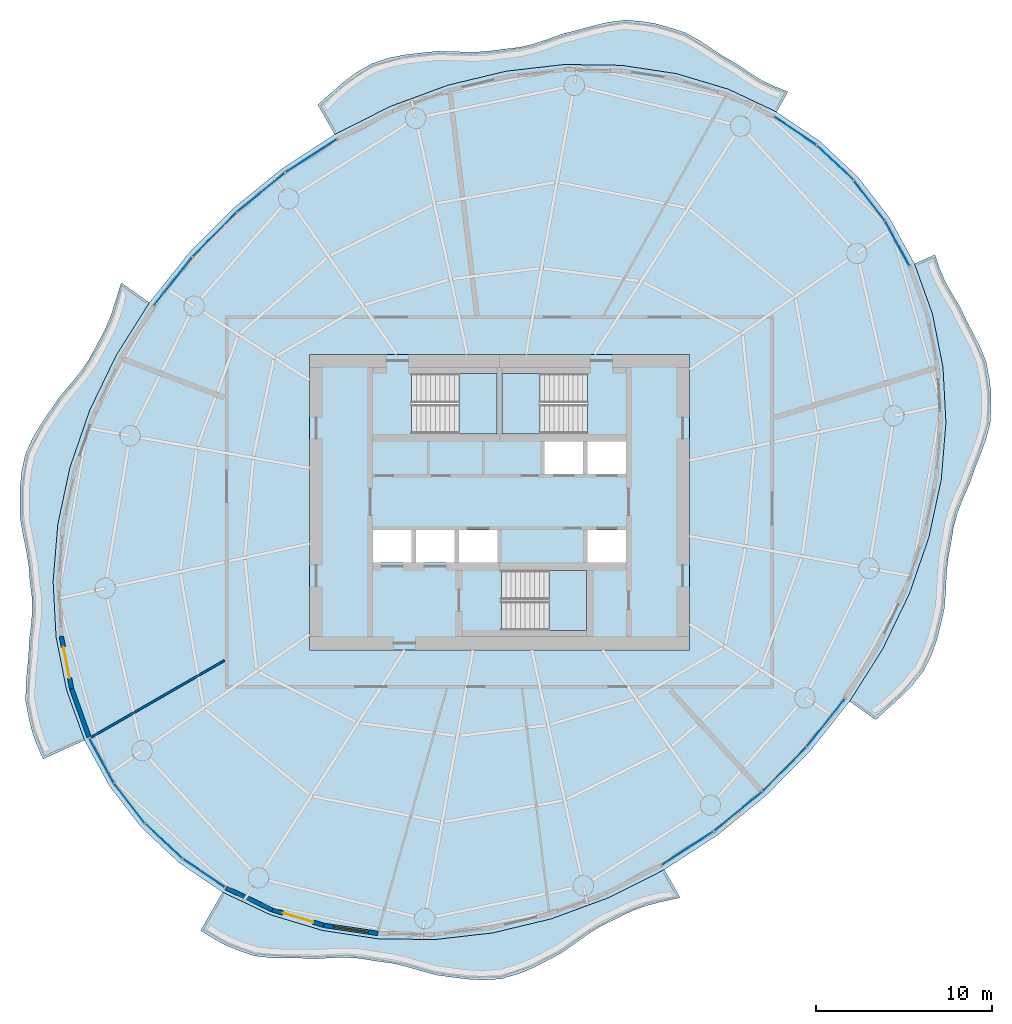
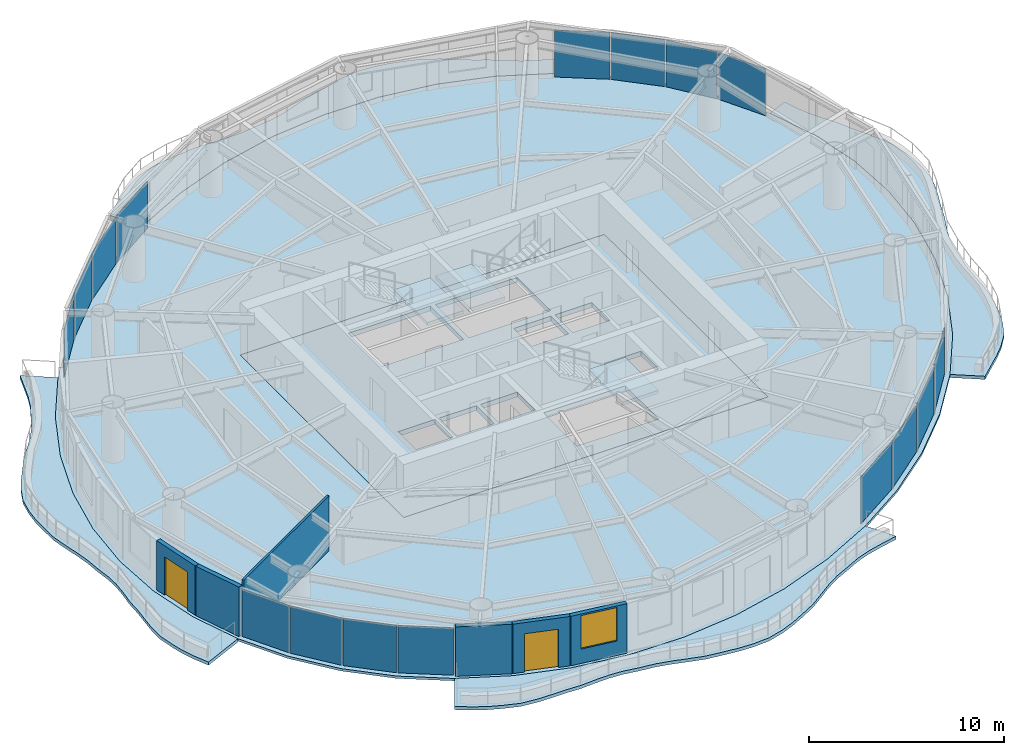
# One storey, part 7 of 14: 16 plates, 9 slabs, 6 walls, 2 doors, 1 window, 3 openings, 19 elements without a shape of their own.
"""IFC4 building model written with IfcOpenShell, lengths in metres."""

from ifc_helpers import new_model, si_unit, direction, frame, frame_2d, origin, origin_2d, place, context, subcontext, project, spatial, polyline, rectangle, outline, extrude, material, layer, layer_set, type_object, element, fill, aggregate, save


model = new_model("IFC4")

# Units and contexts
model_context = context("Model", 3, precision=1e-05, world=origin(), true_north=direction((0.0, 1.0)))
body_context = subcontext(model_context, "Body", "Model", "MODEL_VIEW")
ifc_project = project(units=[si_unit("LENGTHUNIT", "METRE"), si_unit("AREAUNIT", "SQUARE_METRE"), si_unit("VOLUMEUNIT", "CUBIC_METRE"), si_unit("PLANEANGLEUNIT", "RADIAN"), si_unit("MASSUNIT", "GRAM", prefix="KILO")], contexts=[model_context])

# Site, building, storey
site_placement = place(None, origin())
site = spatial("IfcSite", under=ifc_project, at=site_placement, CompositionType="ELEMENT")
building_placement = place(site_placement, origin())
building = spatial("IfcBuilding", under=site, at=building_placement, Name="Vermilion Reach Broadcast Tower", CompositionType="ELEMENT")
storey_placement = place(building_placement, frame((0.0, 0.0, 202.89990234375)))
storey = spatial("IfcBuildingStorey", under=building, at=storey_placement, Name="L49", CompositionType="ELEMENT", Elevation=202.89990234375)

# Slabs
ifc_material_1 = material(Name="Concrete C40/50", Category="concrete")
ifc_layer_1 = layer(ifc_material_1, 0.199951171875)
ifc_layer_set_1 = layer_set([ifc_layer_1], Name="Balcony slab 200")
slab_type_1 = type_object("IfcSlabType", Name="Balcony slab 200", PredefinedType="FLOOR", material=ifc_layer_set_1)
placement_1 = place(storey_placement, frame((0.0, 0.0, -0.199951171875)))
element("IfcSlab", 1, at=placement_1, inside=storey, type_object=slab_type_1, Name="Balcony slab L49 group 1", PredefinedType="FLOOR", context=body_context, shape_type="SweptSolid", body=[
    extrude(outline(polyline([(9.747314453125, 22.17822265625), (7.014404296875, 23.467529296875), (4.058837890625, 24.35546875), (0.93115234375, 24.82666015625), (-2.31494140625, 24.872802734375), (-5.624267578125, 24.49365234375), (-8.93994140625, 23.6953125), (-12.20556640625, 22.491455078125), (-15.36474609375, 20.90283203125), (-16.330078125, 22.5859375), (-15.56396484375, 23.266845703125), (-14.876220703125, 23.8671875), (-14.156982421875, 24.404541015625), (-13.261962890625, 24.925537109375), (-12.29248046875, 25.24267578125), (-11.430419921875, 25.419921875), (-10.542236328125, 25.526123046875), (-9.52734375, 25.63037109375), (-8.523193359375, 25.60693359375), (-7.64013671875, 25.580810546875), (-6.770263671875, 25.61083984375), (-5.844482421875, 25.738037109375), (-4.940673828125, 25.841796875), (-4.12353515625, 26.026123046875), (-3.3154296875, 26.2880859375), (-2.402099609375, 26.618408203125), (-1.47509765625, 26.85009765625), (-0.66015625, 27.078369140625), (0.154541015625, 27.272216796875), (1.142822265625, 27.4033203125), (2.107421875, 27.3251953125), (2.886962890625, 27.192138671875), (3.654541015625, 26.9794921875), (4.578857421875, 26.673828125), (5.419677734375, 26.20361328125), (6.091796875, 25.759033203125), (6.764404296875, 25.31689453125), (7.55224609375, 24.86962890625), (8.273193359375, 24.365234375), (8.920654296875, 23.967041015625), (9.599609375, 23.6357421875), (10.403076171875, 23.328369140625), (9.747314453125, 22.17822265625)])), origin(), (0.0, 0.0, 1.0), 0.199951171875),
])
element("IfcSlab", 2, at=placement_1, inside=storey, type_object=slab_type_1, Name="Balcony slab L49 group 2", PredefinedType="FLOOR", context=body_context, shape_type="SweptSolid", body=[
    extrude(outline(polyline([(-25.9052734375, 11.33203125), (-27.790283203125, 8.34033203125), (-29.302734375, 5.205810546875), (-30.416259765625, 1.982177734375), (-31.112060546875, -1.275390625), (-31.378173828125, -4.510986328125), (-31.210205078125, -7.66943359375), (-30.610595703125, -10.69677734375), (-29.590087890625, -13.541015625), (-31.947998046875, -14.598876953125), (-32.333984375, -13.72265625), (-32.58203125, -13.00927734375), (-32.760498046875, -12.2705078125), (-32.938232421875, -11.3408203125), (-32.926513671875, -10.36865234375), (-32.851318359375, -9.5673828125), (-32.77294921875, -8.765380859375), (-32.73828125, -7.8603515625), (-32.619873046875, -6.95263671875), (-32.563720703125, -6.15771484375), (-32.587646484375, -5.3671875), (-32.6982421875, -4.491943359375), (-32.76708984375, -3.582275390625), (-32.90380859375, -2.7568359375), (-33.07568359375, -1.92822265625), (-33.2421875, -0.96142578125), (-33.260009765625, 0.034912109375), (-33.25244140625, 0.885009765625), (-33.1689453125, 1.71875), (-32.964111328125, 2.69140625), (-32.547607421875, 3.62060546875), (-32.1064453125, 4.3701171875), (-31.60986328125, 5.1005859375), (-31.0517578125, 5.927001953125), (-30.39697265625, 6.69970703125), (-29.830322265625, 7.392333984375), (-29.331298828125, 8.11767578125), (-28.8857421875, 8.947021484375), (-28.42822265625, 9.787109375), (-28.087890625, 10.617431640625), (-27.8076171875, 11.48583984375), (-27.502197265625, 12.465087890625), (-25.9052734375, 11.33203125)])), origin(), (0.0, 0.0, 1.0), 0.199951171875),
])
element("IfcSlab", 3, at=placement_1, inside=storey, type_object=slab_type_1, Name="Balcony slab L49 group 3", PredefinedType="FLOOR", context=body_context, shape_type="SweptSolid", body=[
    extrude(outline(polyline([(-21.747314453125, -22.17822265625), (-19.014404296875, -23.467529296875), (-16.058837890625, -24.35546875), (-12.93115234375, -24.82666015625), (-9.68505859375, -24.872802734375), (-6.375732421875, -24.49365234375), (-3.06005859375, -23.6953125), (0.20556640625, -22.491455078125), (3.36474609375, -20.90283203125), (4.27392578125, -22.48779296875), (3.2822265625, -22.706787109375), (2.405029296875, -22.929931640625), (1.5654296875, -23.22802734375), (0.707275390625, -23.6474609375), (-0.14501953125, -24.05615234375), (-0.901123046875, -24.520751953125), (-1.635986328125, -25.04296875), (-2.47216796875, -25.631591796875), (-3.35791015625, -26.100341796875), (-4.138916015625, -26.4990234375), (-4.9365234375, -26.828125), (-5.9130859375, -27.10791015625), (-6.906982421875, -27.17138671875), (-7.749755859375, -27.132080078125), (-8.60009765625, -27.026123046875), (-9.583984375, -26.894287109375), (-10.52197265625, -26.635009765625), (-11.330322265625, -26.3994140625), (-12.139404296875, -26.213623046875), (-13.03564453125, -26.09765625), (-13.89990234375, -25.94775390625), (-14.691162109375, -25.891845703125), (-15.493408203125, -25.909912109375), (-16.420654296875, -25.968505859375), (-17.337158203125, -25.9287109375), (-18.143310546875, -25.930908203125), (-18.9443359375, -25.916259765625), (-19.912109375, -25.807373046875), (-20.8115234375, -25.505859375), (-21.51171875, -25.219482421875), (-22.1796875, -24.865234375), (-22.992919921875, -24.363037109375), (-21.747314453125, -22.17822265625)])), origin(), (0.0, 0.0, 1.0), 0.199951171875),
])
element("IfcSlab", 4, at=placement_1, inside=storey, type_object=slab_type_1, Name="Balcony slab L49 group 4", PredefinedType="FLOOR", context=body_context, shape_type="SweptSolid", body=[
    extrude(outline(polyline([(13.9052734375, -11.33203125), (15.790283203125, -8.34033203125), (17.302734375, -5.205810546875), (18.416259765625, -1.982177734375), (19.112060546875, 1.275390625), (19.378173828125, 4.510986328125), (19.210205078125, 7.66943359375), (18.610595703125, 10.69677734375), (17.590087890625, 13.541015625), (18.756103515625, 14.064208984375), (19.0234375, 13.25244140625), (19.328125, 12.559326171875), (19.6982421875, 11.889404296875), (20.161865234375, 11.1259765625), (20.55126953125, 10.29443359375), (20.93115234375, 9.583251953125), (21.299072265625, 8.86962890625), (21.664306640625, 7.97607421875), (21.8447265625, 7.017822265625), (21.939453125, 6.23095703125), (21.9521484375, 5.439697265625), (21.89501953125, 4.474609375), (21.63525390625, 3.510986328125), (21.34228515625, 2.720703125), (21.030029296875, 1.931884765625), (20.720947265625, 1.038330078125), (20.3310546875, 0.163330078125), (20.030029296875, -0.623779296875), (19.8125, -1.428955078125), (19.668212890625, -2.330810546875), (19.49267578125, -3.256103515625), (19.41015625, -4.129638671875), (19.367431640625, -5.016845703125), (19.29150390625, -6.025634765625), (19.0703125, -7.024658203125), (18.84814453125, -7.883544921875), (18.54833984375, -8.704833984375), (18.095458984375, -9.6171875), (17.450927734375, -10.431396484375), (16.814697265625, -11.07568359375), (16.132080078125, -11.690185546875), (15.380859375, -12.379150390625), (13.9052734375, -11.33203125)])), origin(), (0.0, 0.0, 1.0), 0.199951171875),
])
ifc_material_2 = material(Name="Concrete C40", Category="concrete")
ifc_layer_2 = layer(ifc_material_2, 0.300048828125)
ifc_layer_set_2 = layer_set([ifc_layer_2], Name="Core floor slab 300 mm Concrete C40")
slab_type_2 = type_object("IfcSlabType", Name="Core floor slab 300 mm Concrete C40", PredefinedType="FLOOR", material=ifc_layer_set_2)
slab_5_placement = place(storey_placement, frame((0.0, 0.0, -0.2998046875)))
element("IfcSlab", 5, at=slab_5_placement, inside=storey, type_object=slab_type_2, Name="L49 core floor", PredefinedType="FLOOR", context=body_context, shape_type="SweptSolid", body=[
    extrude(outline(polyline([(-16.800048828125, -8.39990234375), (4.800048828125, -8.39990234375), (4.800048828125, 8.39990234375), (-16.800048828125, 8.39990234375), (-16.800048828125, -8.39990234375)]), holes=[polyline([(-3.433349609375, 1.60009765625), (-1.24169921875, 1.60009765625), (-1.24169921875, 3.429931640625), (-3.433349609375, 3.429931640625), (-3.433349609375, 1.60009765625)]), polyline([(-0.99169921875, 1.60009765625), (1.199951171875, 1.60009765625), (1.199951171875, 3.429931640625), (-0.99169921875, 3.429931640625), (-0.99169921875, 1.60009765625)]), polyline([(-13.199951171875, -3.429931640625), (-11.00830078125, -3.429931640625), (-11.00830078125, -1.60009765625), (-13.199951171875, -1.60009765625), (-13.199951171875, -3.429931640625)]), polyline([(-10.75830078125, -3.429931640625), (-8.566650390625, -3.429931640625), (-8.566650390625, -1.60009765625), (-10.75830078125, -1.60009765625), (-10.75830078125, -3.429931640625)]), polyline([(-8.316650390625, -3.429931640625), (-6.125, -3.429931640625), (-6.125, -1.60009765625), (-8.316650390625, -1.60009765625), (-8.316650390625, -3.429931640625)]), polyline([(-0.99169921875, -3.429931640625), (1.199951171875, -3.429931640625), (1.199951171875, -1.60009765625), (-0.99169921875, -1.60009765625), (-0.99169921875, -3.429931640625)]), polyline([(-10.999267578125, 3.8798828125), (-6.14990234375, 3.8798828125), (-6.14990234375, 7.300048828125), (-10.999267578125, 7.300048828125), (-10.999267578125, 3.8798828125)]), polyline([(-1.000732421875, 7.300048828125), (-5.85009765625, 7.300048828125), (-5.85009765625, 3.8798828125), (-1.000732421875, 3.8798828125), (-1.000732421875, 7.300048828125)]), polyline([(-5.8994140625, -7.300048828125), (-1.050048828125, -7.300048828125), (-1.050048828125, -3.8798828125), (-5.8994140625, -3.8798828125), (-5.8994140625, -7.300048828125)])]), origin(), (0.0, 0.0, 1.0), 0.2998046875),
])

# Stair, slab
ifc_material_3 = material(Name="Concrete C40", Category="concrete")
stair_type = type_object("IfcStairType", Name="Exit stair RC 22 risers 164 mm", PredefinedType="HALF_TURN_STAIR", material=ifc_material_3)
placement_2 = place(storey_placement, origin())
stair_1 = element("IfcStair", 6, at=placement_2, inside=storey, type_object=stair_type, Name="L49 Exit stair ST1", PredefinedType="HALF_TURN_STAIR")
ifc_material_4 = material(Name="Concrete C40", Category="concrete")
ifc_layer_3 = layer(ifc_material_4, 0.199951171875)
ifc_layer_set_3 = layer_set([ifc_layer_3], Name="Exit stair landing Concrete C40")
slab_type_3 = type_object("IfcSlabType", Name="Exit stair landing Concrete C40", PredefinedType="LANDING", material=ifc_layer_set_3)
placement_3 = place(storey_placement, frame((0.0, 0.0, 1.60009765625)))
slab_6 = element("IfcSlab", 7, at=placement_3, type_object=slab_type_3, Name="ST1 landing 1", PredefinedType="LANDING", context=body_context, shape_type="SweptSolid", body=[
    extrude(outline(polyline([(-8.300048828125, 3.8798828125), (-6.14990234375, 3.8798828125), (-6.14990234375, 7.300048828125), (-8.300048828125, 7.300048828125), (-8.300048828125, 3.8798828125)])), origin(), (0.0, 0.0, 1.0), 0.199951171875),
])
aggregate(stair_1, [slab_6])

stair_2 = element("IfcStair", 8, at=placement_2, inside=storey, type_object=stair_type, Name="L49 Exit stair ST2", PredefinedType="HALF_TURN_STAIR")
slab_7 = element("IfcSlab", 9, at=placement_3, type_object=slab_type_3, Name="ST2 landing 1", PredefinedType="LANDING", context=body_context, shape_type="SweptSolid", body=[
    extrude(outline(polyline([(-3.699951171875, 7.300048828125), (-5.85009765625, 7.300048828125), (-5.85009765625, 3.8798828125), (-3.699951171875, 3.8798828125), (-3.699951171875, 7.300048828125)])), origin(), (0.0, 0.0, 1.0), 0.199951171875),
])
aggregate(stair_2, [slab_7])

stair_3 = element("IfcStair", 10, at=placement_2, inside=storey, type_object=stair_type, Name="L49 Exit stair ST3", PredefinedType="HALF_TURN_STAIR")
slab_8 = element("IfcSlab", 11, at=placement_3, type_object=slab_type_3, Name="ST3 landing 1", PredefinedType="LANDING", context=body_context, shape_type="SweptSolid", body=[
    extrude(outline(polyline([(-3.199951171875, -7.300048828125), (-1.050048828125, -7.300048828125), (-1.050048828125, -3.8798828125), (-3.199951171875, -3.8798828125), (-3.199951171875, -7.300048828125)])), origin(), (0.0, 0.0, 1.0), 0.199951171875),
])
aggregate(stair_3, [slab_8])

# Slab
ifc_material_5 = material(Name="Concrete C40", Category="concrete")
ifc_layer_4 = layer(ifc_material_5, 0.14990234375)
ifc_layer_set_4 = layer_set([ifc_layer_4], Name="Floor slab Concrete C40 composite 150")
slab_type_4 = type_object("IfcSlabType", Name="Floor slab Concrete C40 composite 150", PredefinedType="FLOOR", material=ifc_layer_set_4)
slab_9_placement = place(storey_placement, frame((0.0, 0.0, -0.14990234375)))
element("IfcSlab", 12, at=slab_9_placement, inside=storey, type_object=slab_type_4, Name="Floor slab L49", PredefinedType="FLOOR", context=body_context, shape_type="SweptSolid", body=[
    extrude(outline(polyline([(14.362548828125, 18.489501953125), (12.210693359375, 20.50927734375), (9.747314453125, 22.17822265625), (7.014404296875, 23.467529296875), (4.058837890625, 24.35546875), (0.93115234375, 24.82666015625), (-2.31494140625, 24.872802734375), (-5.624267578125, 24.49365234375), (-8.93994140625, 23.6953125), (-12.20556640625, 22.491455078125), (-15.36474609375, 20.90283203125), (-18.36376953125, 18.95654296875), (-21.151123046875, 16.68603515625), (-23.679443359375, 14.1298828125), (-25.9052734375, 11.33203125), (-27.790283203125, 8.34033203125), (-29.302734375, 5.205810546875), (-30.416259765625, 1.982177734375), (-31.112060546875, -1.275390625), (-31.378173828125, -4.510986328125), (-31.210205078125, -7.66943359375), (-30.610595703125, -10.69677734375), (-29.590087890625, -13.541015625), (-28.166015625, -16.153564453125), (-26.362548828125, -18.489501953125), (-24.210693359375, -20.50927734375), (-21.747314453125, -22.17822265625), (-19.014404296875, -23.467529296875), (-16.058837890625, -24.35546875), (-12.93115234375, -24.82666015625), (-9.68505859375, -24.872802734375), (-6.375732421875, -24.49365234375), (-3.06005859375, -23.6953125), (0.20556640625, -22.491455078125), (3.36474609375, -20.90283203125), (6.36376953125, -18.95654296875), (9.151123046875, -16.68603515625), (11.679443359375, -14.1298828125), (13.9052734375, -11.33203125), (15.790283203125, -8.34033203125), (17.302734375, -5.205810546875), (18.416259765625, -1.982177734375), (19.112060546875, 1.275390625), (19.378173828125, 4.510986328125), (19.210205078125, 7.66943359375), (18.610595703125, 10.69677734375), (17.590087890625, 13.541015625), (16.166015625, 16.153564453125), (14.362548828125, 18.489501953125)]), holes=[polyline([(-16.800048828125, -8.39990234375), (4.800048828125, -8.39990234375), (4.800048828125, 8.39990234375), (-16.800048828125, 8.39990234375), (-16.800048828125, -8.39990234375)])]), origin(), (0.0, 0.0, 1.0), 0.14990234375),
])

# Curtain wall, plate
ifc_material_6 = material(Name="Low-e laminated clear glass in aluminium frame", Category="aluminium")
curtain_wall_type = type_object("IfcCurtainWallType", Name="Slot curtain wall", PredefinedType="NOTDEFINED", material=ifc_material_6)
curtain_wall_1 = element("IfcCurtainWall", 13, at=placement_2, inside=storey, type_object=curtain_wall_type, Name="Slot curtain wall L49 46", PredefinedType="NOTDEFINED")
ifc_material_7 = material(Name="Low-e laminated clear glass", Category="glass")
ifc_layer_5 = layer(ifc_material_7, 0.028076171875)
ifc_layer_set_5 = layer_set([ifc_layer_5], Name="Slot glass panel")
plate_type = type_object("IfcPlateType", Name="Slot glass panel", PredefinedType="CURTAIN_PANEL", material=ifc_layer_set_5)
plate_1_placement = place(storey_placement, frame((16.615478515625, 14.703857421875, 0.0), z_axis=(0.0, 0.0, 1.0), x_axis=(-0.478622390323, 0.878020846838, 0.0)))
plate_1 = element("IfcPlate", 14, at=plate_1_placement, type_object=plate_type, Name="Slot glass panel L49 46", PredefinedType="CURTAIN_PANEL", context=body_context, shape_type="SweptSolid", body=[
    extrude(rectangle(XDim=2.8486328125, YDim=0.028076171875, at=origin_2d()), origin(), (0.0, 0.0, 1.0), 2.949951171875),
])
aggregate(curtain_wall_1, [plate_1])

curtain_wall_2 = element("IfcCurtainWall", 15, at=placement_2, inside=storey, type_object=curtain_wall_type, Name="Slot curtain wall L49 47", PredefinedType="NOTDEFINED")
plate_2_placement = place(storey_placement, frame((15.027587890625, 17.138671875, 0.0), z_axis=(0.0, 0.0, 1.0), x_axis=(-0.611068011292, 0.791578098216, 0.0)))
plate_2 = element("IfcPlate", 16, at=plate_2_placement, type_object=plate_type, Name="Slot glass panel L49 47", PredefinedType="CURTAIN_PANEL", context=body_context, shape_type="SweptSolid", body=[
    extrude(rectangle(XDim=2.823486328125, YDim=0.028076171875, at=origin_2d()), origin(), (0.0, 0.0, 1.0), 2.949951171875),
])
aggregate(curtain_wall_2, [plate_2])

curtain_wall_3 = element("IfcCurtainWall", 17, at=placement_2, inside=storey, type_object=curtain_wall_type, Name="Slot curtain wall L49 00", PredefinedType="NOTDEFINED")
plate_3_placement = place(storey_placement, frame((13.08203125, 19.281494140625, 0.0), z_axis=(0.0, 0.0, 1.0), x_axis=(-0.729126798863, 0.684378631446, 0.0)))
plate_3 = element("IfcPlate", 18, at=plate_3_placement, type_object=plate_type, Name="Slot glass panel L49 00", PredefinedType="CURTAIN_PANEL", context=body_context, shape_type="SweptSolid", body=[
    extrude(rectangle(XDim=2.823486328125, YDim=0.028076171875, at=origin_2d()), origin(), (0.0, 0.0, 1.0), 2.949951171875),
])
aggregate(curtain_wall_3, [plate_3])

curtain_wall_4 = element("IfcCurtainWall", 19, at=placement_2, inside=storey, type_object=curtain_wall_type, Name="Slot curtain wall L49 01", PredefinedType="NOTDEFINED")
plate_4_placement = place(storey_placement, frame((10.811279296875, 21.09619140625, 0.0), z_axis=(0.0, 0.0, 1.0), x_axis=(-0.827909033751, 0.560862400088, 0.0)))
plate_4 = element("IfcPlate", 20, at=plate_4_placement, type_object=plate_type, Name="Slot glass panel L49 01", PredefinedType="CURTAIN_PANEL", context=body_context, shape_type="SweptSolid", body=[
    extrude(rectangle(XDim=2.8486328125, YDim=0.028076171875, at=origin_2d()), origin(), (0.0, 0.0, 1.0), 2.949951171875),
])
aggregate(curtain_wall_4, [plate_4])

curtain_wall_5 = element("IfcCurtainWall", 21, at=placement_2, inside=storey, type_object=curtain_wall_type, Name="Slot curtain wall L49 10", PredefinedType="NOTDEFINED")
plate_5_placement = place(storey_placement, frame((-16.701171875, 19.678466796875, 0.0), z_axis=(0.0, 0.0, 1.0), x_axis=(-0.838837224778, -0.544382319998, 0.0)))
plate_5 = element("IfcPlate", 22, at=plate_5_placement, type_object=plate_type, Name="Slot glass panel L49 10", PredefinedType="CURTAIN_PANEL", context=body_context, shape_type="SweptSolid", body=[
    extrude(rectangle(XDim=3.462646484375, YDim=0.028076171875, at=origin_2d()), origin(), (0.0, 0.0, 1.0), 2.949951171875),
])
aggregate(curtain_wall_5, [plate_5])

curtain_wall_6 = element("IfcCurtainWall", 23, at=placement_2, inside=storey, type_object=curtain_wall_type, Name="Slot curtain wall L49 11", PredefinedType="NOTDEFINED")
plate_6_placement = place(storey_placement, frame((-19.568359375, 17.589111328125, 0.0), z_axis=(0.0, 0.0, 1.0), x_axis=(-0.775322958897, -0.631564968476, 0.0)))
plate_6 = element("IfcPlate", 24, at=plate_6_placement, type_object=plate_type, Name="Slot glass panel L49 11", PredefinedType="CURTAIN_PANEL", context=body_context, shape_type="SweptSolid", body=[
    extrude(rectangle(XDim=3.48291015625, YDim=0.028076171875, at=origin_2d()), origin(), (0.0, 0.0, 1.0), 2.949951171875),
])
aggregate(curtain_wall_6, [plate_6])

curtain_wall_7 = element("IfcCurtainWall", 25, at=placement_2, inside=storey, type_object=curtain_wall_type, Name="Slot curtain wall L49 12", PredefinedType="NOTDEFINED")
plate_7_placement = place(storey_placement, frame((-22.202392578125, 15.197265625, 0.0), z_axis=(0.0, 0.0, 1.0), x_axis=(-0.703217124532, -0.710975158332, 0.0)))
plate_7 = element("IfcPlate", 26, at=plate_7_placement, type_object=plate_type, Name="Slot glass panel L49 12", PredefinedType="CURTAIN_PANEL", context=body_context, shape_type="SweptSolid", body=[
    extrude(rectangle(XDim=3.48291015625, YDim=0.028076171875, at=origin_2d()), origin(), (0.0, 0.0, 1.0), 2.949951171875),
])
aggregate(curtain_wall_7, [plate_7])

curtain_wall_8 = element("IfcCurtainWall", 27, at=placement_2, inside=storey, type_object=curtain_wall_type, Name="Slot curtain wall L49 13", PredefinedType="NOTDEFINED")
plate_8_placement = place(storey_placement, frame((-24.557861328125, 12.54443359375, 0.0), z_axis=(0.0, 0.0, 1.0), x_axis=(-0.622548213356, -0.782581447548, 0.0)))
plate_8 = element("IfcPlate", 28, at=plate_8_placement, type_object=plate_type, Name="Slot glass panel L49 13", PredefinedType="CURTAIN_PANEL", context=body_context, shape_type="SweptSolid", body=[
    extrude(rectangle(XDim=3.462646484375, YDim=0.028076171875, at=origin_2d()), origin(), (0.0, 0.0, 1.0), 2.949951171875),
])
aggregate(curtain_wall_8, [plate_8])

curtain_wall_9 = element("IfcCurtainWall", 29, at=placement_2, inside=storey, type_object=curtain_wall_type, Name="Slot curtain wall L49 22", PredefinedType="NOTDEFINED")
plate_9_placement = place(storey_placement, frame((-28.615478515625, -14.703857421875, 0.0), z_axis=(0.0, 0.0, 1.0), x_axis=(0.478622390323, -0.878020846838, 0.0)))
plate_9 = element("IfcPlate", 30, at=plate_9_placement, type_object=plate_type, Name="Slot glass panel L49 22", PredefinedType="CURTAIN_PANEL", context=body_context, shape_type="SweptSolid", body=[
    extrude(rectangle(XDim=2.8486328125, YDim=0.028076171875, at=origin_2d()), origin(), (0.0, 0.0, 1.0), 2.949951171875),
])
aggregate(curtain_wall_9, [plate_9])

curtain_wall_10 = element("IfcCurtainWall", 31, at=placement_2, inside=storey, type_object=curtain_wall_type, Name="Slot curtain wall L49 23", PredefinedType="NOTDEFINED")
plate_10_placement = place(storey_placement, frame((-27.027587890625, -17.138671875, 0.0), z_axis=(0.0, 0.0, 1.0), x_axis=(0.611068011292, -0.791578098216, 0.0)))
plate_10 = element("IfcPlate", 32, at=plate_10_placement, type_object=plate_type, Name="Slot glass panel L49 23", PredefinedType="CURTAIN_PANEL", context=body_context, shape_type="SweptSolid", body=[
    extrude(rectangle(XDim=2.823486328125, YDim=0.028076171875, at=origin_2d()), origin(), (0.0, 0.0, 1.0), 2.949951171875),
])
aggregate(curtain_wall_10, [plate_10])

curtain_wall_11 = element("IfcCurtainWall", 33, at=placement_2, inside=storey, type_object=curtain_wall_type, Name="Slot curtain wall L49 24", PredefinedType="NOTDEFINED")
plate_11_placement = place(storey_placement, frame((-25.08203125, -19.281494140625, 0.0), z_axis=(0.0, 0.0, 1.0), x_axis=(0.729126798863, -0.684378631446, 0.0)))
plate_11 = element("IfcPlate", 34, at=plate_11_placement, type_object=plate_type, Name="Slot glass panel L49 24", PredefinedType="CURTAIN_PANEL", context=body_context, shape_type="SweptSolid", body=[
    extrude(rectangle(XDim=2.823486328125, YDim=0.028076171875, at=origin_2d()), origin(), (0.0, 0.0, 1.0), 2.949951171875),
])
aggregate(curtain_wall_11, [plate_11])

curtain_wall_12 = element("IfcCurtainWall", 35, at=placement_2, inside=storey, type_object=curtain_wall_type, Name="Slot curtain wall L49 25", PredefinedType="NOTDEFINED")
plate_12_placement = place(storey_placement, frame((-22.811279296875, -21.09619140625, 0.0), z_axis=(0.0, 0.0, 1.0), x_axis=(0.827909033751, -0.560862400088, 0.0)))
plate_12 = element("IfcPlate", 36, at=plate_12_placement, type_object=plate_type, Name="Slot glass panel L49 25", PredefinedType="CURTAIN_PANEL", context=body_context, shape_type="SweptSolid", body=[
    extrude(rectangle(XDim=2.8486328125, YDim=0.028076171875, at=origin_2d()), origin(), (0.0, 0.0, 1.0), 2.949951171875),
])
aggregate(curtain_wall_12, [plate_12])

curtain_wall_13 = element("IfcCurtainWall", 37, at=placement_2, inside=storey, type_object=curtain_wall_type, Name="Slot curtain wall L49 34", PredefinedType="NOTDEFINED")
plate_13_placement = place(storey_placement, frame((4.701171875, -19.678466796875, 0.0), z_axis=(0.0, 0.0, 1.0), x_axis=(0.838837224778, 0.544382319998, 0.0)))
plate_13 = element("IfcPlate", 38, at=plate_13_placement, type_object=plate_type, Name="Slot glass panel L49 34", PredefinedType="CURTAIN_PANEL", context=body_context, shape_type="SweptSolid", body=[
    extrude(rectangle(XDim=3.462646484375, YDim=0.028076171875, at=origin_2d()), origin(), (0.0, 0.0, 1.0), 2.949951171875),
])
aggregate(curtain_wall_13, [plate_13])

curtain_wall_14 = element("IfcCurtainWall", 39, at=placement_2, inside=storey, type_object=curtain_wall_type, Name="Slot curtain wall L49 35", PredefinedType="NOTDEFINED")
plate_14_placement = place(storey_placement, frame((7.568359375, -17.589111328125, 0.0), z_axis=(0.0, 0.0, 1.0), x_axis=(0.775322958897, 0.631564968476, 0.0)))
plate_14 = element("IfcPlate", 40, at=plate_14_placement, type_object=plate_type, Name="Slot glass panel L49 35", PredefinedType="CURTAIN_PANEL", context=body_context, shape_type="SweptSolid", body=[
    extrude(rectangle(XDim=3.48291015625, YDim=0.028076171875, at=origin_2d()), origin(), (0.0, 0.0, 1.0), 2.949951171875),
])
aggregate(curtain_wall_14, [plate_14])

curtain_wall_15 = element("IfcCurtainWall", 41, at=placement_2, inside=storey, type_object=curtain_wall_type, Name="Slot curtain wall L49 36", PredefinedType="NOTDEFINED")
plate_15_placement = place(storey_placement, frame((10.202392578125, -15.197265625, 0.0), z_axis=(0.0, 0.0, 1.0), x_axis=(0.703217124532, 0.710975158332, 0.0)))
plate_15 = element("IfcPlate", 42, at=plate_15_placement, type_object=plate_type, Name="Slot glass panel L49 36", PredefinedType="CURTAIN_PANEL", context=body_context, shape_type="SweptSolid", body=[
    extrude(rectangle(XDim=3.48291015625, YDim=0.028076171875, at=origin_2d()), origin(), (0.0, 0.0, 1.0), 2.949951171875),
])
aggregate(curtain_wall_15, [plate_15])

curtain_wall_16 = element("IfcCurtainWall", 43, at=placement_2, inside=storey, type_object=curtain_wall_type, Name="Slot curtain wall L49 37", PredefinedType="NOTDEFINED")
plate_16_placement = place(storey_placement, frame((12.557861328125, -12.54443359375, 0.0), z_axis=(0.0, 0.0, 1.0), x_axis=(0.622548213356, 0.782581447548, 0.0)))
plate_16 = element("IfcPlate", 44, at=plate_16_placement, type_object=plate_type, Name="Slot glass panel L49 37", PredefinedType="CURTAIN_PANEL", context=body_context, shape_type="SweptSolid", body=[
    extrude(rectangle(XDim=3.462646484375, YDim=0.028076171875, at=origin_2d()), origin(), (0.0, 0.0, 1.0), 2.949951171875),
])
aggregate(curtain_wall_16, [plate_16])

# Wall
ifc_material_8 = material(Name="Fire-rated plasterboard on steel stud", Category="steel")
ifc_layer_6 = layer(ifc_material_8, 0.125)
ifc_layer_set_6 = layer_set([ifc_layer_6], Name="Partition 125 fire-rated stud")
wall_type_1 = type_object("IfcWallType", Name="Partition 125 fire-rated stud", PredefinedType="PARTITIONING", material=ifc_layer_set_6)
wall_1_placement = place(storey_placement, frame((-29.202392578125, -13.3671875, 0.0), z_axis=(0.0, 0.0, 1.0), x_axis=(0.866494286864, 0.499186989846, 0.0)))
element("IfcWall", 45, at=wall_1_placement, inside=storey, type_object=wall_type_1, Name="Partition 49.04", PredefinedType="PARTITIONING", context=body_context, shape_type="SweptSolid", body=[
    extrude(rectangle(XDim=8.73779296875, YDim=0.125, at=frame_2d((4.368896484375, 0.0))), origin(), (0.0, 0.0, 1.0), 3.4501953125),
])

# Wall, opening, door
ifc_material_9 = material(Name="Terracotta rainscreen cladding", Category="masonry")
ifc_layer_7 = layer(ifc_material_9, 0.25)
ifc_layer_set_7 = layer_set([ifc_layer_7], Name="Terracotta rainscreen wall 250")
wall_type_2 = type_object("IfcWallType", Name="Terracotta rainscreen wall 250", PredefinedType="SOLIDWALL", material=ifc_layer_set_7)
wall_2_placement = place(storey_placement, frame((-30.909912109375, -7.645263671875, 0.0), z_axis=(0.0, 0.0, 1.0), x_axis=(0.194200963519, -0.980961765702, 0.0)))
wall_2 = element("IfcWall", 46, at=wall_2_placement, inside=storey, type_object=wall_type_2, Name="External wall L49 20", PredefinedType="SOLIDWALL", context=body_context, shape_type="SweptSolid", body=[
    extrude(rectangle(XDim=3.015869140625, YDim=0.25, at=frame_2d((1.5078125, 0.0))), origin(), (0.0, 0.0, 1.0), 3.10009765625),
])
opening_1_placement = place(wall_2_placement, frame((0.60791015625, 0.0, 0.0)))
opening_1 = element("IfcOpeningElement", 47, at=opening_1_placement, cuts=wall_2, Name="Opening D70", PredefinedType="OPENING", context=body_context, shape_type="SweptSolid", body=[
    extrude(rectangle(XDim=1.800048828125, YDim=2.39990234375, at=frame_2d((0.89990234375, 1.199951171875))), frame((0.0, 0.135009765625, 0.0), z_axis=(0.0, -1.0, 0.0), x_axis=(1.0, 0.0, 0.0)), (0.0, 0.0, 1.0), 0.27001953125),
])
ifc_material_10 = material(Name="Low-e laminated clear glass in aluminium frame", Category="aluminium")
door_type = type_object("IfcDoorType", Name="Balcony sliding door 1800 x 2400", OperationType="DOUBLE_DOOR_SLIDING", PredefinedType="DOOR", material=ifc_material_10)
door_1_placement = place(opening_1_placement, origin())
door_1 = element("IfcDoor", 48, at=door_1_placement, inside=storey, type_object=door_type, Name="Balcony door L49 run 05", OperationType="DOUBLE_DOOR_SLIDING", OverallHeight=2.39990234375, OverallWidth=1.800048828125, PredefinedType="DOOR", context=body_context, shape_type="SweptSolid", body=[
    extrude(rectangle(XDim=1.800048828125, YDim=2.39990234375, at=frame_2d((0.89990234375, 1.199951171875))), frame((0.0, 0.02490234375, 0.0), z_axis=(0.0, -1.0, 0.0), x_axis=(1.0, 0.0, 0.0)), (0.0, 0.0, 1.0), 0.050048828125),
])
fill(opening_1, door_1)

# Walls
for number, where, z_axis, x_axis, name in (
    (49, (-30.31689453125, -10.62939453125, 0.0), (0.0, 0.0, 1.0), (0.337681671404, -0.941260372478, 0.0), "External wall L49 21"),
    (50, (-21.549072265625, -21.94091796875, 0.0), (0.0, 0.0, 1.0), (0.904371073682, -0.426746952054, 0.0), "External wall L49 26"),
):
    element("IfcWall", number, at=place(storey_placement, frame(where, z_axis=z_axis, x_axis=x_axis)), inside=storey, type_object=wall_type_2, Name=name, PredefinedType="SOLIDWALL", context=body_context, shape_type="SweptSolid", body=[
        extrude(rectangle(XDim=2.907958984375, YDim=0.25, at=frame_2d((1.4541015625, 0.0))), origin(), (0.0, 0.0, 1.0), 3.10009765625),
    ])

# Wall, opening, door
wall_3_placement = place(storey_placement, frame((-18.89453125, -23.19140625, 0.0), z_axis=(0.0, 0.0, 1.0), x_axis=(0.957728205686, -0.287674614859, 0.0)))
wall_3 = element("IfcWall", 51, at=wall_3_placement, inside=storey, type_object=wall_type_2, Name="External wall L49 27", PredefinedType="SOLIDWALL", context=body_context, shape_type="SweptSolid", body=[
    extrude(rectangle(XDim=3.01611328125, YDim=0.25, at=frame_2d((1.508056640625, 0.0))), origin(), (0.0, 0.0, 1.0), 3.10009765625),
])
opening_2_placement = place(wall_3_placement, frame((0.60791015625, 0.0, 0.0)))
opening_2 = element("IfcOpeningElement", 52, at=opening_2_placement, cuts=wall_3, Name="Opening D70", PredefinedType="OPENING", context=body_context, shape_type="SweptSolid", body=[
    extrude(rectangle(XDim=1.800048828125, YDim=2.39990234375, at=frame_2d((0.89990234375, 1.199951171875))), frame((0.0, 0.135009765625, 0.0), z_axis=(0.0, -1.0, 0.0), x_axis=(1.0, 0.0, 0.0)), (0.0, 0.0, 1.0), 0.27001953125),
])
door_2_placement = place(opening_2_placement, origin())
door_2 = element("IfcDoor", 53, at=door_2_placement, inside=storey, type_object=door_type, Name="Balcony door L49 run 07", OperationType="DOUBLE_DOOR_SLIDING", OverallHeight=2.39990234375, OverallWidth=1.800048828125, PredefinedType="DOOR", context=body_context, shape_type="SweptSolid", body=[
    extrude(rectangle(XDim=1.800048828125, YDim=2.39990234375, at=frame_2d((0.89990234375, 1.199951171875))), frame((0.0, 0.02490234375, 0.0), z_axis=(0.0, -1.0, 0.0), x_axis=(1.0, 0.0, 0.0)), (0.0, 0.0, 1.0), 0.050048828125),
])
fill(opening_2, door_2)

# Wall, opening, window
wall_4_placement = place(storey_placement, frame((-15.980712890625, -24.064697265625, 0.0), z_axis=(0.0, 0.0, 1.0), x_axis=(0.988853480543, -0.148891887014, 0.0)))
wall_4 = element("IfcWall", 54, at=wall_4_placement, inside=storey, type_object=wall_type_2, Name="External wall L49 28", PredefinedType="SOLIDWALL", context=body_context, shape_type="SweptSolid", body=[
    extrude(rectangle(XDim=3.095703125, YDim=0.25, at=frame_2d((1.5478515625, 0.0))), origin(), (0.0, 0.0, 1.0), 3.10009765625),
])
opening_3_placement = place(wall_4_placement, frame((0.548095703125, 0.0, 0.89990234375)))
opening_3 = element("IfcOpeningElement", 55, at=opening_3_placement, cuts=wall_4, Name="Opening W03", PredefinedType="OPENING", context=body_context, shape_type="SweptSolid", body=[
    extrude(rectangle(XDim=2.0, YDim=2.10009765625, at=frame_2d((1.0, 1.050048828125))), frame((0.0, 0.135009765625, 0.0), z_axis=(0.0, -1.0, 0.0), x_axis=(1.0, 0.0, 0.0)), (0.0, 0.0, 1.0), 0.27001953125),
])
ifc_material_11 = material(Name="Low-e laminated clear glass in aluminium frame", Category="aluminium")
window_type = type_object("IfcWindowType", Name="Punched window 2000 x 2100 sill 900", PartitioningType="SINGLE_PANEL", PredefinedType="WINDOW", material=ifc_material_11)
window_placement = place(opening_3_placement, origin())
window = element("IfcWindow", 56, at=window_placement, inside=storey, type_object=window_type, Name="Window L49 28", OverallHeight=2.10009765625, OverallWidth=2.0, PartitioningType="SINGLE_PANEL", PredefinedType="WINDOW", context=body_context, shape_type="SweptSolid", body=[
    extrude(rectangle(XDim=2.0, YDim=2.10009765625, at=frame_2d((1.0, 1.050048828125))), frame((0.0, 0.030029296875, 0.0), z_axis=(0.0, -1.0, 0.0), x_axis=(1.0, 0.0, 0.0)), (0.0, 0.0, 1.0), 0.06005859375),
])
fill(opening_3, window)

save(model, "model.ifc")
